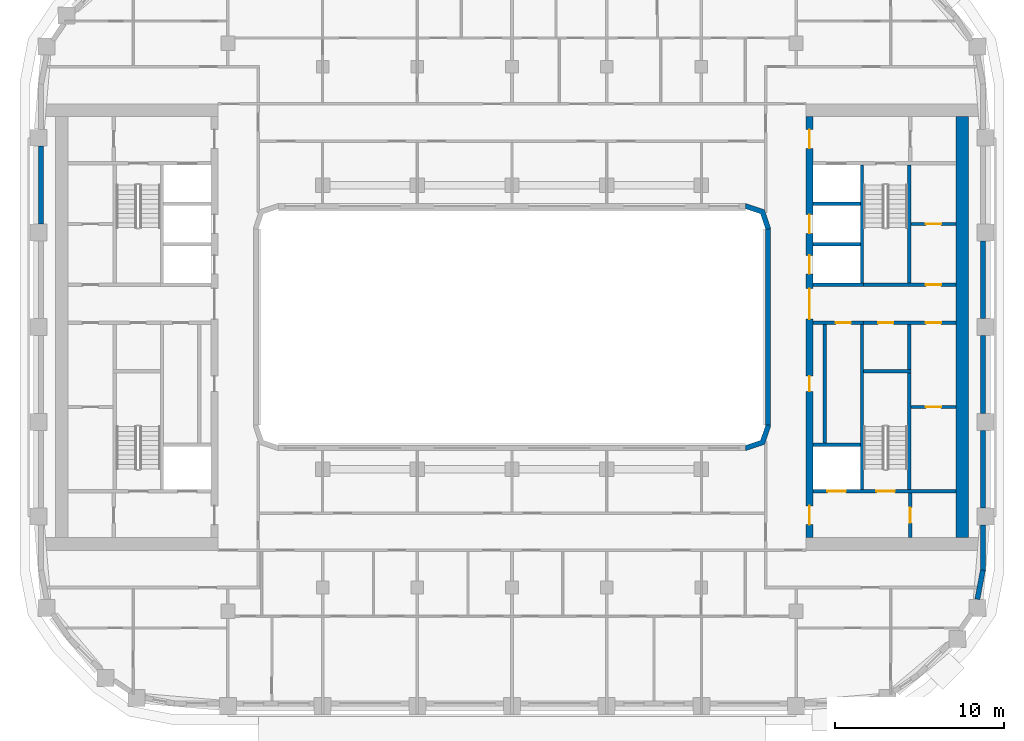
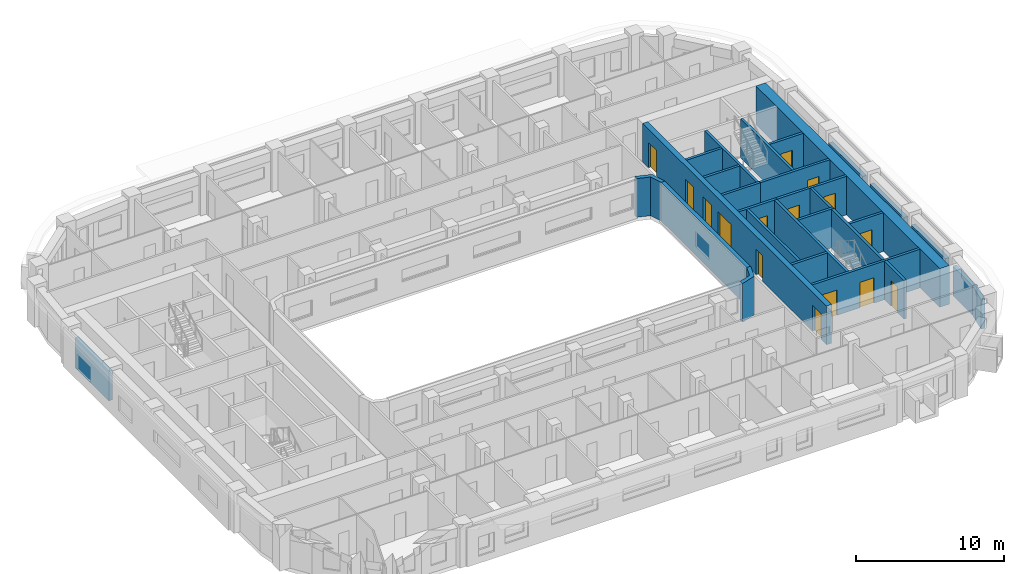
# One storey, part 6 of 22: 29 walls, 15 doors, 15 openings.
"""IFC4 building model written with IfcOpenShell, lengths in metres."""

from ifc_helpers import new_model, si_unit, direction, frame, frame_2d, origin, place, context, subcontext, project, spatial, polyline, rectangle, outline, extrude, material, layer, layer_set, type_object, element, fill, save


model = new_model("IFC4")

# Units and contexts
model_context = context("Model", 3, precision=1e-05, world=origin(), true_north=direction((0.0, 1.0)))
body_context = subcontext(model_context, "Body", "Model", "MODEL_VIEW")
ifc_project = project(units=[si_unit("LENGTHUNIT", "METRE"), si_unit("AREAUNIT", "SQUARE_METRE"), si_unit("VOLUMEUNIT", "CUBIC_METRE"), si_unit("PLANEANGLEUNIT", "RADIAN"), si_unit("MASSUNIT", "GRAM", prefix="KILO")], contexts=[model_context])

# Site, building, storey
site_placement = place(None, origin())
site = spatial("IfcSite", under=ifc_project, at=site_placement, CompositionType="ELEMENT")
building_placement = place(site_placement, origin())
building = spatial("IfcBuilding", under=site, at=building_placement, Name="Kiln Ring Residences", CompositionType="ELEMENT")
storey_placement = place(building_placement, frame((0.0, 0.0, 164.10009765625)))
storey = spatial("IfcBuildingStorey", under=building, at=storey_placement, Name="L42", CompositionType="ELEMENT", Elevation=164.10009765625)

# Wall
ifc_material_1 = material(Name="Gypsum board on steel studs", Category="steel")
ifc_layer_1 = layer(ifc_material_1, 0.199951171875)
ifc_layer_set_1 = layer_set([ifc_layer_1], Name="CORE-PARTITION-200")
wall_type_1 = type_object("IfcWallType", Name="CORE-PARTITION-200", PredefinedType="PARTITIONING", material=ifc_layer_set_1)
wall_1_placement = place(storey_placement, frame((23.5, -2.5, 0.0), z_axis=(0.0, 0.0, 1.0), x_axis=(0.0, 1.0, 0.0)))
element("IfcWall", 1, at=wall_1_placement, inside=storey, type_object=wall_type_1, Name="Core partition east L42 1", PredefinedType="PARTITIONING", context=body_context, shape_type="SweptSolid", body=[
    extrude(rectangle(XDim=2.64990234375, YDim=0.199951171875, at=frame_2d((1.324951171875, 0.0))), origin(), (0.0, 0.0, 1.0), 3.199951171875),
])

# Wall, openings, doors
wall_2_placement = place(storey_placement, frame((20.800048828125, 0.25, 0.0), z_axis=(0.0, 0.0, 1.0), x_axis=(1.0, 0.0, 0.0)))
wall_2 = element("IfcWall", 2, at=wall_2_placement, inside=storey, type_object=wall_type_1, Name="Core partition east L42 2", PredefinedType="PARTITIONING", context=body_context, shape_type="SweptSolid", body=[
    extrude(rectangle(XDim=5.449951171875, YDim=0.199951171875, at=frame_2d((2.72509765625, 0.0))), origin(), (0.0, 0.0, 1.0), 3.199951171875),
])
opening_1_placement = place(wall_2_placement, frame((0.85009765625, 0.0, 0.0)))
opening_1 = element("IfcOpeningElement", 3, at=opening_1_placement, cuts=wall_2, Name="Opening L42-CE14", PredefinedType="OPENING", context=body_context, shape_type="SweptSolid", body=[
    extrude(rectangle(XDim=0.89990234375, YDim=2.10009765625, at=frame_2d((0.449951171875, 1.050048828125))), frame((0.0, 0.10986328125, 0.0), z_axis=(0.0, -1.0, 0.0), x_axis=(1.0, 0.0, 0.0)), (0.0, 0.0, 1.0), 0.219970703125),
])
opening_2_placement = place(wall_2_placement, frame((3.675048828125, 0.0, 0.0)))
opening_2 = element("IfcOpeningElement", 4, at=opening_2_placement, cuts=wall_2, Name="Opening L42-CE16", PredefinedType="OPENING", context=body_context, shape_type="SweptSolid", body=[
    extrude(rectangle(XDim=0.89990234375, YDim=2.10009765625, at=frame_2d((0.449951171875, 1.050048828125))), frame((0.0, 0.10986328125, 0.0), z_axis=(0.0, -1.0, 0.0), x_axis=(1.0, 0.0, 0.0)), (0.0, 0.0, 1.0), 0.219970703125),
])
ifc_material_2 = material(Name="Steel door leaf", Category="steel")
door_type_1 = type_object("IfcDoorType", Name="CORE-DOOR-ROOM", OperationType="SINGLE_SWING_LEFT", PredefinedType="DOOR", material=ifc_material_2)
door_1_placement = place(opening_1_placement, origin())
door_1 = element("IfcDoor", 5, at=door_1_placement, inside=storey, type_object=door_type_1, Name="Comms room L42-CE14", OperationType="SINGLE_SWING_LEFT", OverallHeight=2.10009765625, OverallWidth=0.89990234375, PredefinedType="DOOR", context=body_context, shape_type="SweptSolid", body=[
    extrude(rectangle(XDim=0.89990234375, YDim=2.10009765625, at=frame_2d((0.449951171875, 1.050048828125))), frame((0.0, 0.02490234375, 0.0), z_axis=(0.0, -1.0, 0.0), x_axis=(1.0, 0.0, 0.0)), (0.0, 0.0, 1.0), 0.050048828125),
])
fill(opening_1, door_1)
door_2_placement = place(opening_2_placement, origin())
door_2 = element("IfcDoor", 6, at=door_2_placement, inside=storey, type_object=door_type_1, Name="Meter room L42-CE16", OperationType="SINGLE_SWING_LEFT", OverallHeight=2.10009765625, OverallWidth=0.89990234375, PredefinedType="DOOR", context=body_context, shape_type="SweptSolid", body=[
    extrude(rectangle(XDim=0.89990234375, YDim=2.10009765625, at=frame_2d((0.449951171875, 1.050048828125))), frame((0.0, 0.02490234375, 0.0), z_axis=(0.0, -1.0, 0.0), x_axis=(1.0, 0.0, 0.0)), (0.0, 0.0, 1.0), 0.050048828125),
])
fill(opening_2, door_2)

# Wall
wall_3_placement = place(storey_placement, frame((18.5, -6.85009765625, 0.0), z_axis=(0.0, 0.0, 1.0), x_axis=(0.0, 1.0, 0.0)))
element("IfcWall", 7, at=wall_3_placement, inside=storey, type_object=wall_type_1, Name="Core partition east L42 3", PredefinedType="PARTITIONING", context=body_context, shape_type="SweptSolid", body=[
    extrude(rectangle(XDim=7.0, YDim=0.199951171875, at=frame_2d((3.5, 0.0))), origin(), (0.0, 0.0, 1.0), 3.199951171875),
])

# Wall, opening, door
wall_4_placement = place(storey_placement, frame((23.550048828125, -12.449951171875, 0.0), z_axis=(0.0, 0.0, 1.0), x_axis=(0.0, 1.0, 0.0)))
wall_4 = element("IfcWall", 8, at=wall_4_placement, inside=storey, type_object=wall_type_1, Name="Core partition east L42 5", PredefinedType="PARTITIONING", context=body_context, shape_type="SweptSolid", body=[
    extrude(rectangle(XDim=2.64990234375, YDim=0.199951171875, at=frame_2d((1.324951171875, 0.0))), origin(), (0.0, 0.0, 1.0), 3.199951171875),
])
opening_3_placement = place(wall_4_placement, frame((0.875, 0.0, 0.0)))
opening_3 = element("IfcOpeningElement", 9, at=opening_3_placement, cuts=wall_4, Name="Opening L42-CE10", PredefinedType="OPENING", context=body_context, shape_type="SweptSolid", body=[
    extrude(rectangle(XDim=0.89990234375, YDim=2.10009765625, at=frame_2d((0.449951171875, 1.050048828125))), frame((0.0, 0.10986328125, 0.0), z_axis=(0.0, -1.0, 0.0), x_axis=(1.0, 0.0, 0.0)), (0.0, 0.0, 1.0), 0.219970703125),
])
door_3_placement = place(opening_3_placement, origin())
door_3 = element("IfcDoor", 10, at=door_3_placement, inside=storey, type_object=door_type_1, Name="Store L42-CE10", OperationType="SINGLE_SWING_LEFT", OverallHeight=2.10009765625, OverallWidth=0.89990234375, PredefinedType="DOOR", context=body_context, shape_type="SweptSolid", body=[
    extrude(rectangle(XDim=0.89990234375, YDim=2.10009765625, at=frame_2d((0.449951171875, 1.050048828125))), frame((0.0, 0.02490234375, 0.0), z_axis=(0.0, -1.0, 0.0), x_axis=(1.0, 0.0, 0.0)), (0.0, 0.0, 1.0), 0.050048828125),
])
fill(opening_3, door_3)

wall_5_placement = place(storey_placement, frame((23.60009765625, -4.72509765625, 0.0), z_axis=(0.0, 0.0, 1.0), x_axis=(1.0, 0.0, 0.0)))
wall_5 = element("IfcWall", 11, at=wall_5_placement, inside=storey, type_object=wall_type_1, Name="Core partition east L42 6", PredefinedType="PARTITIONING", context=body_context, shape_type="SweptSolid", body=[
    extrude(rectangle(XDim=2.64990234375, YDim=0.199951171875, at=frame_2d((1.324951171875, 0.0))), origin(), (0.0, 0.0, 1.0), 3.199951171875),
])
opening_4_placement = place(wall_5_placement, frame((0.875, 0.0, 0.0)))
opening_4 = element("IfcOpeningElement", 12, at=opening_4_placement, cuts=wall_5, Name="Opening L42-CE15", PredefinedType="OPENING", context=body_context, shape_type="SweptSolid", body=[
    extrude(rectangle(XDim=0.89990234375, YDim=2.10009765625, at=frame_2d((0.449951171875, 1.050048828125))), frame((0.0, 0.10986328125, 0.0), z_axis=(0.0, -1.0, 0.0), x_axis=(1.0, 0.0, 0.0)), (0.0, 0.0, 1.0), 0.219970703125),
])
door_4_placement = place(opening_4_placement, origin())
door_4 = element("IfcDoor", 13, at=door_4_placement, inside=storey, type_object=door_type_1, Name="Meter room L42-CE15", OperationType="SINGLE_SWING_LEFT", OverallHeight=2.10009765625, OverallWidth=0.89990234375, PredefinedType="DOOR", context=body_context, shape_type="SweptSolid", body=[
    extrude(rectangle(XDim=0.89990234375, YDim=2.10009765625, at=frame_2d((0.449951171875, 1.050048828125))), frame((0.0, 0.02490234375, 0.0), z_axis=(0.0, -1.0, 0.0), x_axis=(1.0, 0.0, 0.0)), (0.0, 0.0, 1.0), 0.050048828125),
])
fill(opening_4, door_4)

wall_6_placement = place(storey_placement, frame((23.60009765625, 6.10009765625, 0.0), z_axis=(0.0, 0.0, 1.0), x_axis=(1.0, 0.0, 0.0)))
wall_6 = element("IfcWall", 14, at=wall_6_placement, inside=storey, type_object=wall_type_1, Name="Core partition east L42 7", PredefinedType="PARTITIONING", context=body_context, shape_type="SweptSolid", body=[
    extrude(rectangle(XDim=2.64990234375, YDim=0.199951171875, at=frame_2d((1.324951171875, 0.0))), origin(), (0.0, 0.0, 1.0), 3.199951171875),
])
opening_5_placement = place(wall_6_placement, frame((0.875, 0.0, 0.0)))
opening_5 = element("IfcOpeningElement", 15, at=opening_5_placement, cuts=wall_6, Name="Opening L42-CE17", PredefinedType="OPENING", context=body_context, shape_type="SweptSolid", body=[
    extrude(rectangle(XDim=0.89990234375, YDim=2.10009765625, at=frame_2d((0.449951171875, 1.050048828125))), frame((0.0, 0.10986328125, 0.0), z_axis=(0.0, -1.0, 0.0), x_axis=(1.0, 0.0, 0.0)), (0.0, 0.0, 1.0), 0.219970703125),
])
door_5_placement = place(opening_5_placement, origin())
door_5 = element("IfcDoor", 16, at=door_5_placement, inside=storey, type_object=door_type_1, Name="Comms room L42-CE17", OperationType="SINGLE_SWING_LEFT", OverallHeight=2.10009765625, OverallWidth=0.89990234375, PredefinedType="DOOR", context=body_context, shape_type="SweptSolid", body=[
    extrude(rectangle(XDim=0.89990234375, YDim=2.10009765625, at=frame_2d((0.449951171875, 1.050048828125))), frame((0.0, 0.02490234375, 0.0), z_axis=(0.0, -1.0, 0.0), x_axis=(1.0, 0.0, 0.0)), (0.0, 0.0, 1.0), 0.050048828125),
])
fill(opening_5, door_5)

# Wall
ifc_material_3 = material(Name="Gypsum shaft wall system")
ifc_layer_2 = layer(ifc_material_3, 0.199951171875)
ifc_layer_set_2 = layer_set([ifc_layer_2], Name="CORE-SHAFT-WALL-200")
wall_type_2 = type_object("IfcWallType", Name="CORE-SHAFT-WALL-200", PredefinedType="PARTITIONING", material=ifc_layer_set_2)
wall_7_placement = place(storey_placement, frame((17.800048828125, -6.949951171875, 0.0), z_axis=(0.0, 0.0, 1.0), x_axis=(1.0, 0.0, 0.0)))
element("IfcWall", 17, at=wall_7_placement, inside=storey, type_object=wall_type_2, Name="Core partition east L42 8", PredefinedType="PARTITIONING", context=body_context, shape_type="SweptSolid", body=[
    extrude(rectangle(XDim=2.800048828125, YDim=0.199951171875, at=frame_2d((1.39990234375, 0.0))), origin(), (0.0, 0.0, 1.0), 3.199951171875),
])

# Wall, opening, door
wall_8_placement = place(storey_placement, frame((17.800048828125, 0.25, 0.0), z_axis=(0.0, 0.0, 1.0), x_axis=(1.0, 0.0, 0.0)))
wall_8 = element("IfcWall", 18, at=wall_8_placement, inside=storey, type_object=wall_type_2, Name="Core partition east L42 9", PredefinedType="PARTITIONING", context=body_context, shape_type="SweptSolid", body=[
    extrude(rectangle(XDim=3.0, YDim=0.199951171875, at=frame_2d((1.5, 0.0))), origin(), (0.0, 0.0, 1.0), 3.199951171875),
])
opening_6_placement = place(wall_8_placement, frame((1.35009765625, 0.0, 0.0)))
opening_6 = element("IfcOpeningElement", 19, at=opening_6_placement, cuts=wall_8, Name="Opening L42-CE03", PredefinedType="OPENING", context=body_context, shape_type="SweptSolid", body=[
    extrude(rectangle(XDim=0.89990234375, YDim=2.10009765625, at=frame_2d((0.449951171875, 1.050048828125))), frame((0.0, 0.10986328125, 0.0), z_axis=(0.0, -1.0, 0.0), x_axis=(1.0, 0.0, 0.0)), (0.0, 0.0, 1.0), 0.219970703125),
])
door_6_placement = place(opening_6_placement, origin())
door_6 = element("IfcDoor", 20, at=door_6_placement, inside=storey, type_object=door_type_1, Name="Service store L42-CE03", OperationType="SINGLE_SWING_RIGHT", OverallHeight=2.10009765625, OverallWidth=0.89990234375, PredefinedType="DOOR", context=body_context, shape_type="SweptSolid", body=[
    extrude(rectangle(XDim=0.89990234375, YDim=2.10009765625, at=frame_2d((0.449951171875, 1.050048828125))), frame((0.0, 0.02490234375, 0.0), z_axis=(0.0, -1.0, 0.0), x_axis=(1.0, 0.0, 0.0)), (0.0, 0.0, 1.0), 0.050048828125),
])
fill(opening_6, door_6)

# Walls
wall_9_placement = place(storey_placement, frame((17.800048828125, 2.5, 0.0), z_axis=(0.0, 0.0, 1.0), x_axis=(1.0, 0.0, 0.0)))
element("IfcWall", 21, at=wall_9_placement, inside=storey, type_object=wall_type_2, Name="Core partition east L42 10", PredefinedType="PARTITIONING", context=body_context, shape_type="SweptSolid", body=[
    extrude(rectangle(XDim=3.0, YDim=0.199951171875, at=frame_2d((1.5, 0.0))), origin(), (0.0, 0.0, 1.0), 3.199951171875),
])
for number, where, z_axis, x_axis, name in (
    (22, (17.800048828125, 4.89990234375, 0.0), (0.0, 0.0, 1.0), (1.0, 0.0, 0.0), "Core partition east L42 11"),
    (23, (17.800048828125, 7.300048828125, 0.0), (0.0, 0.0, 1.0), (1.0, 0.0, 0.0), "Core partition east L42 12"),
):
    element("IfcWall", number, at=place(storey_placement, frame(where, z_axis=z_axis, x_axis=x_axis)), inside=storey, type_object=wall_type_2, Name=name, PredefinedType="PARTITIONING", context=body_context, shape_type="SweptSolid", body=[
        extrude(rectangle(XDim=2.800048828125, YDim=0.199951171875, at=frame_2d((1.39990234375, 0.0))), origin(), (0.0, 0.0, 1.0), 3.199951171875),
    ])
ifc_material_4 = material(Name="Concrete C40/50", Category="concrete")
ifc_layer_3 = layer(ifc_material_4, 0.199951171875)
ifc_layer_set_3 = layer_set([ifc_layer_3], Name="CORE-WALL-RC200")
wall_type_3 = type_object("IfcWallType", Name="CORE-WALL-RC200", PredefinedType="SHEAR", material=ifc_layer_set_3)
wall_10_placement = place(storey_placement, frame((20.699951171875, 2.60009765625, 0.0), z_axis=(0.0, 0.0, 1.0), x_axis=(0.0, 1.0, 0.0)))
element("IfcWall", 24, at=wall_10_placement, inside=storey, type_object=wall_type_3, Name="Core wall east L42 1", PredefinedType="SHEAR", context=body_context, shape_type="SweptSolid", body=[
    extrude(rectangle(XDim=7.0, YDim=0.199951171875, at=frame_2d((3.5, 0.0))), origin(), (0.0, 0.0, 1.0), 3.199951171875),
])
wall_11_placement = place(storey_placement, frame((20.699951171875, -9.60009765625, 0.0), z_axis=(0.0, 0.0, 1.0), x_axis=(0.0, 1.0, 0.0)))
element("IfcWall", 25, at=wall_11_placement, inside=storey, type_object=wall_type_3, Name="Core wall east L42 2", PredefinedType="SHEAR", context=body_context, shape_type="SweptSolid", body=[
    extrude(rectangle(XDim=9.75, YDim=0.199951171875, at=frame_2d((4.875, 0.0))), origin(), (0.0, 0.0, 1.0), 3.199951171875),
])

# Wall, opening, door
wall_12_placement = place(storey_placement, frame((20.800048828125, 2.5, 0.0), z_axis=(0.0, 0.0, 1.0), x_axis=(1.0, 0.0, 0.0)))
wall_12 = element("IfcWall", 26, at=wall_12_placement, inside=storey, type_object=wall_type_3, Name="Core wall east L42 3", PredefinedType="SHEAR", context=body_context, shape_type="SweptSolid", body=[
    extrude(rectangle(XDim=5.449951171875, YDim=0.199951171875, at=frame_2d((2.72509765625, 0.0))), origin(), (0.0, 0.0, 1.0), 3.199951171875),
])
opening_7_placement = place(wall_12_placement, frame((3.675048828125, 0.0, 0.0)))
opening_7 = element("IfcOpeningElement", 27, at=opening_7_placement, cuts=wall_12, Name="Opening L42-CE18", PredefinedType="OPENING", context=body_context, shape_type="SweptSolid", body=[
    extrude(rectangle(XDim=0.89990234375, YDim=2.10009765625, at=frame_2d((0.449951171875, 1.050048828125))), frame((0.0, 0.10986328125, 0.0), z_axis=(0.0, -1.0, 0.0), x_axis=(1.0, 0.0, 0.0)), (0.0, 0.0, 1.0), 0.219970703125),
])
door_7_placement = place(opening_7_placement, origin())
door_7 = element("IfcDoor", 28, at=door_7_placement, inside=storey, type_object=door_type_1, Name="Electrical plant room L42-CE18", OperationType="SINGLE_SWING_RIGHT", OverallHeight=2.10009765625, OverallWidth=0.89990234375, PredefinedType="DOOR", context=body_context, shape_type="SweptSolid", body=[
    extrude(rectangle(XDim=0.89990234375, YDim=2.10009765625, at=frame_2d((0.449951171875, 1.050048828125))), frame((0.0, 0.02490234375, 0.0), z_axis=(0.0, -1.0, 0.0), x_axis=(1.0, 0.0, 0.0)), (0.0, 0.0, 1.0), 0.050048828125),
])
fill(opening_7, door_7)

# Wall, openings, doors
wall_13_placement = place(storey_placement, frame((17.800048828125, -9.699951171875, 0.0), z_axis=(0.0, 0.0, 1.0), x_axis=(1.0, 0.0, 0.0)))
wall_13 = element("IfcWall", 29, at=wall_13_placement, inside=storey, type_object=wall_type_3, Name="Core wall east L42 8", PredefinedType="SHEAR", context=body_context, shape_type="SweptSolid", body=[
    extrude(rectangle(XDim=8.449951171875, YDim=0.199951171875, at=frame_2d((4.22509765625, 0.0))), origin(), (0.0, 0.0, 1.0), 3.199951171875),
])
opening_8_placement = place(wall_13_placement, frame((0.85009765625, 0.0, 0.0)))
opening_8 = element("IfcOpeningElement", 30, at=opening_8_placement, cuts=wall_13, Name="Opening L42-CE01", PredefinedType="OPENING", context=body_context, shape_type="SweptSolid", body=[
    extrude(rectangle(XDim=1.10009765625, YDim=2.10009765625, at=frame_2d((0.550048828125, 1.050048828125))), frame((0.0, 0.10986328125, 0.0), z_axis=(0.0, -1.0, 0.0), x_axis=(1.0, 0.0, 0.0)), (0.0, 0.0, 1.0), 0.219970703125),
])
opening_9_placement = place(wall_13_placement, frame((3.75, 0.0, 0.0)))
opening_9 = element("IfcOpeningElement", 31, at=opening_9_placement, cuts=wall_13, Name="Opening L42-CE12", PredefinedType="OPENING", context=body_context, shape_type="SweptSolid", body=[
    extrude(rectangle(XDim=1.10009765625, YDim=2.10009765625, at=frame_2d((0.550048828125, 1.050048828125))), frame((0.0, 0.10986328125, 0.0), z_axis=(0.0, -1.0, 0.0), x_axis=(1.0, 0.0, 0.0)), (0.0, 0.0, 1.0), 0.219970703125),
])
ifc_material_5 = material(Name="Steel door leaf", Category="steel")
door_type_2 = type_object("IfcDoorType", Name="CORE-DOOR-LD", OperationType="DOUBLE_DOOR_SLIDING", PredefinedType="DOOR", material=ifc_material_5)
door_8_placement = place(opening_8_placement, origin())
door_8 = element("IfcDoor", 32, at=door_8_placement, inside=storey, type_object=door_type_2, Name="LD E-SV L42-CE01", OperationType="DOUBLE_DOOR_SLIDING", OverallHeight=2.10009765625, OverallWidth=1.10009765625, PredefinedType="DOOR", context=body_context, shape_type="SweptSolid", body=[
    extrude(rectangle(XDim=1.10009765625, YDim=2.10009765625, at=frame_2d((0.550048828125, 1.050048828125))), frame((0.0, 0.02490234375, 0.0), z_axis=(0.0, -1.0, 0.0), x_axis=(1.0, 0.0, 0.0)), (0.0, 0.0, 1.0), 0.050048828125),
])
fill(opening_8, door_8)
ifc_material_6 = material(Name="Steel door leaf", Category="steel")
door_type_3 = type_object("IfcDoorType", Name="CORE-DOOR-STAIR", OperationType="SINGLE_SWING_LEFT", PredefinedType="DOOR", material=ifc_material_6)
door_9_placement = place(opening_9_placement, origin())
door_9 = element("IfcDoor", 33, at=door_9_placement, inside=storey, type_object=door_type_3, Name="Stair E-STS L42-CE12", OperationType="SINGLE_SWING_RIGHT", OverallHeight=2.10009765625, OverallWidth=1.10009765625, PredefinedType="DOOR", context=body_context, shape_type="SweptSolid", body=[
    extrude(rectangle(XDim=1.10009765625, YDim=2.10009765625, at=frame_2d((0.550048828125, 1.050048828125))), frame((0.0, 0.02490234375, 0.0), z_axis=(0.0, -1.0, 0.0), x_axis=(1.0, 0.0, 0.0)), (0.0, 0.0, 1.0), 0.050048828125),
])
fill(opening_9, door_9)

# Walls
wall_14_placement = place(storey_placement, frame((23.5, 2.60009765625, 0.0), z_axis=(0.0, 0.0, 1.0), x_axis=(0.0, 1.0, 0.0)))
element("IfcWall", 34, at=wall_14_placement, inside=storey, type_object=wall_type_3, Name="Core wall east L42 10", PredefinedType="SHEAR", context=body_context, shape_type="SweptSolid", body=[
    extrude(rectangle(XDim=7.0, YDim=0.199951171875, at=frame_2d((3.5, 0.0))), origin(), (0.0, 0.0, 1.0), 3.199951171875),
])
wall_15_placement = place(storey_placement, frame((23.5, -9.60009765625, 0.0), z_axis=(0.0, 0.0, 1.0), x_axis=(0.0, 1.0, 0.0)))
element("IfcWall", 35, at=wall_15_placement, inside=storey, type_object=wall_type_3, Name="Core wall east L42 11", PredefinedType="SHEAR", context=body_context, shape_type="SweptSolid", body=[
    extrude(rectangle(XDim=6.900146484375, YDim=0.199951171875, at=frame_2d((3.4501953125, 0.0))), origin(), (0.0, 0.0, 1.0), 3.199951171875),
])
wall_16_placement = place(storey_placement, frame((20.800048828125, -2.60009765625, 0.0), z_axis=(0.0, 0.0, 1.0), x_axis=(1.0, 0.0, 0.0)))
element("IfcWall", 36, at=wall_16_placement, inside=storey, type_object=wall_type_3, Name="Core wall east L42 12", PredefinedType="SHEAR", context=body_context, shape_type="SweptSolid", body=[
    extrude(rectangle(XDim=2.800048828125, YDim=0.199951171875, at=frame_2d((1.39990234375, 0.0))), origin(), (0.0, 0.0, 1.0), 3.199951171875),
])

# Wall, openings, doors
ifc_material_7 = material(Name="Concrete C60/75", Category="concrete")
ifc_layer_4 = layer(ifc_material_7, 0.39990234375)
ifc_layer_set_4 = layer_set([ifc_layer_4], Name="CORE-WALL-RC400")
wall_type_4 = type_object("IfcWallType", Name="CORE-WALL-RC400", PredefinedType="SHEAR", material=ifc_layer_set_4)
wall_17_placement = place(storey_placement, frame((17.60009765625, -12.449951171875, 0.0), z_axis=(0.0, 0.0, 1.0), x_axis=(0.0, 1.0, 0.0)))
wall_17 = element("IfcWall", 37, at=wall_17_placement, inside=storey, type_object=wall_type_4, Name="Core wall east L42 6", PredefinedType="SHEAR", context=body_context, shape_type="SweptSolid", body=[
    extrude(rectangle(XDim=24.89990234375, YDim=0.39990234375, at=frame_2d((12.449951171875, 0.0))), origin(), (0.0, 0.0, 1.0), 3.199951171875),
])
opening_10_placement = place(wall_17_placement, frame((8.64990234375, 0.0, 0.0)))
opening_10 = element("IfcOpeningElement", 38, at=opening_10_placement, cuts=wall_17, Name="Opening L42-CE02", PredefinedType="OPENING", context=body_context, shape_type="SweptSolid", body=[
    extrude(rectangle(XDim=0.89990234375, YDim=2.10009765625, at=frame_2d((0.449951171875, 1.050048828125))), frame((0.0, 0.2099609375, 0.0), z_axis=(0.0, -1.0, 0.0), x_axis=(1.0, 0.0, 0.0)), (0.0, 0.0, 1.0), 0.419921875),
])
opening_11_placement = place(wall_17_placement, frame((15.60009765625, 0.0, 0.0)))
opening_11 = element("IfcOpeningElement", 39, at=opening_11_placement, cuts=wall_17, Name="Opening L42-CE04", PredefinedType="OPENING", context=body_context, shape_type="SweptSolid", body=[
    extrude(rectangle(XDim=1.10009765625, YDim=2.10009765625, at=frame_2d((0.550048828125, 1.050048828125))), frame((0.0, 0.2099609375, 0.0), z_axis=(0.0, -1.0, 0.0), x_axis=(1.0, 0.0, 0.0)), (0.0, 0.0, 1.0), 0.419921875),
])
opening_12_placement = place(wall_17_placement, frame((18.0, 0.0, 0.0)))
opening_12 = element("IfcOpeningElement", 40, at=opening_12_placement, cuts=wall_17, Name="Opening L42-CE05", PredefinedType="OPENING", context=body_context, shape_type="SweptSolid", body=[
    extrude(rectangle(XDim=1.10009765625, YDim=2.10009765625, at=frame_2d((0.550048828125, 1.050048828125))), frame((0.0, 0.2099609375, 0.0), z_axis=(0.0, -1.0, 0.0), x_axis=(1.0, 0.0, 0.0)), (0.0, 0.0, 1.0), 0.419921875),
])
opening_13_placement = place(wall_17_placement, frame((23.02490234375, 0.0, 0.0)))
opening_13 = element("IfcOpeningElement", 41, at=opening_13_placement, cuts=wall_17, Name="Opening L42-CE07", PredefinedType="OPENING", context=body_context, shape_type="SweptSolid", body=[
    extrude(rectangle(XDim=1.10009765625, YDim=2.10009765625, at=frame_2d((0.550048828125, 1.050048828125))), frame((0.0, 0.2099609375, 0.0), z_axis=(0.0, -1.0, 0.0), x_axis=(1.0, 0.0, 0.0)), (0.0, 0.0, 1.0), 0.419921875),
])
opening_14_placement = place(wall_17_placement, frame((0.77490234375, 0.0, 0.0)))
opening_14 = element("IfcOpeningElement", 42, at=opening_14_placement, cuts=wall_17, Name="Opening L42-CE08", PredefinedType="OPENING", context=body_context, shape_type="SweptSolid", body=[
    extrude(rectangle(XDim=1.10009765625, YDim=2.10009765625, at=frame_2d((0.550048828125, 1.050048828125))), frame((0.0, 0.2099609375, 0.0), z_axis=(0.0, -1.0, 0.0), x_axis=(1.0, 0.0, 0.0)), (0.0, 0.0, 1.0), 0.419921875),
])
opening_15_placement = place(wall_17_placement, frame((12.925048828125, 0.0, 0.0)))
opening_15 = element("IfcOpeningElement", 43, at=opening_15_placement, cuts=wall_17, Name="Opening L42-CE13", PredefinedType="OPENING", context=body_context, shape_type="SweptSolid", body=[
    extrude(rectangle(XDim=1.800048828125, YDim=2.10009765625, at=frame_2d((0.89990234375, 1.050048828125))), frame((0.0, 0.2099609375, 0.0), z_axis=(0.0, -1.0, 0.0), x_axis=(1.0, 0.0, 0.0)), (0.0, 0.0, 1.0), 0.419921875),
])
door_10_placement = place(opening_11_placement, origin())
door_10 = element("IfcDoor", 44, at=door_10_placement, inside=storey, type_object=door_type_2, Name="LD E-M1 L42-CE04", OperationType="DOUBLE_DOOR_SLIDING", OverallHeight=2.10009765625, OverallWidth=1.10009765625, PredefinedType="DOOR", context=body_context, shape_type="SweptSolid", body=[
    extrude(rectangle(XDim=1.10009765625, YDim=2.10009765625, at=frame_2d((0.550048828125, 1.050048828125))), frame((0.0, 0.02490234375, 0.0), z_axis=(0.0, -1.0, 0.0), x_axis=(1.0, 0.0, 0.0)), (0.0, 0.0, 1.0), 0.050048828125),
])
fill(opening_11, door_10)
door_11_placement = place(opening_12_placement, origin())
door_11 = element("IfcDoor", 45, at=door_11_placement, inside=storey, type_object=door_type_2, Name="LD E-M2 L42-CE05", OperationType="DOUBLE_DOOR_SLIDING", OverallHeight=2.10009765625, OverallWidth=1.10009765625, PredefinedType="DOOR", context=body_context, shape_type="SweptSolid", body=[
    extrude(rectangle(XDim=1.10009765625, YDim=2.10009765625, at=frame_2d((0.550048828125, 1.050048828125))), frame((0.0, 0.02490234375, 0.0), z_axis=(0.0, -1.0, 0.0), x_axis=(1.0, 0.0, 0.0)), (0.0, 0.0, 1.0), 0.050048828125),
])
fill(opening_12, door_11)
ifc_material_8 = material(Name="Steel door leaf", Category="steel")
door_type_4 = type_object("IfcDoorType", Name="CORE-DOOR-LOBBY", OperationType="SINGLE_SWING_LEFT", PredefinedType="DOOR", material=ifc_material_8)
door_12_placement = place(opening_13_placement, origin())
door_12 = element("IfcDoor", 46, at=door_12_placement, inside=storey, type_object=door_type_4, Name="FFL L42-CE07", OperationType="SINGLE_SWING_LEFT", OverallHeight=2.10009765625, OverallWidth=1.10009765625, PredefinedType="DOOR", context=body_context, shape_type="SweptSolid", body=[
    extrude(rectangle(XDim=1.10009765625, YDim=2.10009765625, at=frame_2d((0.550048828125, 1.050048828125))), frame((0.0, 0.02490234375, 0.0), z_axis=(0.0, -1.0, 0.0), x_axis=(1.0, 0.0, 0.0)), (0.0, 0.0, 1.0), 0.050048828125),
])
fill(opening_13, door_12)
door_13_placement = place(opening_14_placement, origin())
door_13 = element("IfcDoor", 47, at=door_13_placement, inside=storey, type_object=door_type_4, Name="SVL L42-CE08", OperationType="SINGLE_SWING_RIGHT", OverallHeight=2.10009765625, OverallWidth=1.10009765625, PredefinedType="DOOR", context=body_context, shape_type="SweptSolid", body=[
    extrude(rectangle(XDim=1.10009765625, YDim=2.10009765625, at=frame_2d((0.550048828125, 1.050048828125))), frame((0.0, 0.02490234375, 0.0), z_axis=(0.0, -1.0, 0.0), x_axis=(1.0, 0.0, 0.0)), (0.0, 0.0, 1.0), 0.050048828125),
])
fill(opening_14, door_13)
ifc_material_9 = material(Name="Steel door leaf", Category="steel")
door_type_5 = type_object("IfcDoorType", Name="CORE-DOOR-PASS", OperationType="DOUBLE_DOOR_SINGLE_SWING", PredefinedType="DOOR", material=ifc_material_9)
door_14_placement = place(opening_15_placement, origin())
door_14 = element("IfcDoor", 48, at=door_14_placement, inside=storey, type_object=door_type_5, Name="Core passage L42-CE13", OperationType="DOUBLE_DOOR_SINGLE_SWING", OverallHeight=2.10009765625, OverallWidth=1.800048828125, PredefinedType="DOOR", context=body_context, shape_type="SweptSolid", body=[
    extrude(rectangle(XDim=1.800048828125, YDim=2.10009765625, at=frame_2d((0.89990234375, 1.050048828125))), frame((0.0, 0.02490234375, 0.0), z_axis=(0.0, -1.0, 0.0), x_axis=(1.0, 0.0, 0.0)), (0.0, 0.0, 1.0), 0.050048828125),
])
fill(opening_15, door_14)
door_15_placement = place(opening_10_placement, origin())
door_15 = element("IfcDoor", 49, at=door_15_placement, inside=storey, type_object=door_type_1, Name="Locker store L42-CE02", OperationType="SINGLE_SWING_LEFT", OverallHeight=2.10009765625, OverallWidth=0.89990234375, PredefinedType="DOOR", context=body_context, shape_type="SweptSolid", body=[
    extrude(rectangle(XDim=0.89990234375, YDim=2.10009765625, at=frame_2d((0.449951171875, 1.050048828125))), frame((0.0, 0.02490234375, 0.0), z_axis=(0.0, -1.0, 0.0), x_axis=(1.0, 0.0, 0.0)), (0.0, 0.0, 1.0), 0.050048828125),
])
fill(opening_10, door_15)

# Walls
ifc_material_10 = material(Name="Concrete C60/75", Category="concrete")
ifc_layer_5 = layer(ifc_material_10, 0.75)
ifc_layer_set_5 = layer_set([ifc_layer_5], Name="CORE-WALL-RC750")
wall_type_5 = type_object("IfcWallType", Name="CORE-WALL-RC750", PredefinedType="SHEAR", material=ifc_layer_set_5)
wall_18_placement = place(storey_placement, frame((26.625, -12.449951171875, 0.0), z_axis=(0.0, 0.0, 1.0), x_axis=(0.0, 1.0, 0.0)))
element("IfcWall", 50, at=wall_18_placement, inside=storey, type_object=wall_type_5, Name="Core wall east L42 7", PredefinedType="SHEAR", context=body_context, shape_type="SweptSolid", body=[
    extrude(rectangle(XDim=24.89990234375, YDim=0.75, at=frame_2d((12.449951171875, 0.0))), origin(), (0.0, 0.0, 1.0), 3.199951171875),
])
ifc_material_11 = material(Name="Brick masonry, dark clay brick", Category="masonry")
ifc_layer_6 = layer(ifc_material_11, 0.300048828125)
ifc_layer_set_6 = layer_set([ifc_layer_6], Name="EW-300 BRICK WALL")
wall_type_6 = type_object("IfcWallType", Name="EW-300 BRICK WALL", PredefinedType="SOLIDWALL", material=ifc_layer_set_6)
wall_19_placement = place(storey_placement, frame((27.523681640625, -16.096923828125, 0.0), z_axis=(0.0, 0.0, 1.0), x_axis=(0.187259034321, 0.982310569049, 0.0)))
element("IfcWall", 51, at=wall_19_placement, inside=storey, type_object=wall_type_6, Name="Facade wall L42 16", PredefinedType="SOLIDWALL", context=body_context, shape_type="SweptSolid", body=[
    extrude(rectangle(XDim=1.756103515625, YDim=0.300048828125, at=frame_2d((0.8779296875, 0.0))), origin(), (0.0, 0.0, 1.0), 2.449951171875),
])
wall_20_placement = place(storey_placement, frame((27.85009765625, -14.39990234375, 0.0), z_axis=(0.0, 0.0, 1.0), x_axis=(0.0, 1.0, 0.0)))
element("IfcWall", 52, at=wall_20_placement, inside=storey, type_object=wall_type_6, Name="Facade wall L42 17", PredefinedType="SOLIDWALL", context=body_context, shape_type="SweptSolid", body=[
    extrude(rectangle(XDim=2.699951171875, YDim=0.300048828125, at=frame_2d((1.35009765625, 0.0))), origin(), (0.0, 0.0, 1.0), 2.449951171875),
])
wall_21_placement = place(storey_placement, frame((27.85009765625, -10.699951171875, 0.0), z_axis=(0.0, 0.0, 1.0), x_axis=(0.0, 1.0, 0.0)))
element("IfcWall", 53, at=wall_21_placement, inside=storey, type_object=wall_type_6, Name="Facade wall L42 18", PredefinedType="SOLIDWALL", context=body_context, shape_type="SweptSolid", body=[
    extrude(rectangle(XDim=4.599853515625, YDim=0.300048828125, at=frame_2d((2.2998046875, 0.0))), origin(), (0.0, 0.0, 1.0), 2.449951171875),
])
for number, where, z_axis, x_axis, name in (
    (54, (27.85009765625, -5.10009765625, 0.0), (0.0, 0.0, 1.0), (0.0, 1.0, 0.0), "Facade wall L42 19"),
    (55, (27.85009765625, 0.5, 0.0), (0.0, 0.0, 1.0), (0.0, 1.0, 0.0), "Facade wall L42 20"),
):
    element("IfcWall", number, at=place(storey_placement, frame(where, z_axis=z_axis, x_axis=x_axis)), inside=storey, type_object=wall_type_6, Name=name, PredefinedType="SOLIDWALL", context=body_context, shape_type="SweptSolid", body=[
        extrude(rectangle(XDim=4.60009765625, YDim=0.300048828125, at=frame_2d((2.300048828125, 0.0))), origin(), (0.0, 0.0, 1.0), 2.449951171875),
    ])
wall_22_placement = place(storey_placement, frame((-27.85009765625, 10.699951171875, 0.0), z_axis=(0.0, 0.0, 1.0), x_axis=(0.0, -1.0, 0.0)))
element("IfcWall", 56, at=wall_22_placement, inside=storey, type_object=wall_type_6, Name="Facade wall L42 42", PredefinedType="SOLIDWALL", context=body_context, shape_type="SweptSolid", body=[
    extrude(rectangle(XDim=4.599853515625, YDim=0.300048828125, at=frame_2d((2.2998046875, 0.0))), origin(), (0.0, 0.0, 1.0), 2.449951171875),
])
wall_23_placement = place(storey_placement, frame((15.14990234375, 5.800048828125, 0.0), z_axis=(0.0, 0.0, 1.0), x_axis=(0.0, -1.0, 0.0)))
element("IfcWall", 57, at=wall_23_placement, inside=storey, type_object=wall_type_6, Name="Facade wall L42 51", PredefinedType="SOLIDWALL", context=body_context, shape_type="SweptSolid", body=[
    extrude(rectangle(XDim=11.60009765625, YDim=0.300048828125, at=frame_2d((5.800048828125, 0.0))), origin(), (0.0, 0.0, 1.0), 3.199951171875),
])
placement = place(storey_placement, origin())
element("IfcWall", 58, at=placement, inside=storey, type_object=wall_type_6, Name="Corner wall L42 2", PredefinedType="SOLIDWALL", context=body_context, shape_type="SweptSolid", body=[
    extrude(outline(polyline([(14.937255859375, 6.937255859375), (13.8486328125, 7.300048828125), (13.800048828125, 7.300048828125), (13.800048828125, 7.0), (14.699951171875, 6.699951171875), (15.0, 5.800048828125), (15.300048828125, 5.800048828125), (15.300048828125, 5.8486328125), (14.937255859375, 6.937255859375)])), origin(), (0.0, 0.0, 1.0), 3.199951171875),
])
element("IfcWall", 59, at=placement, inside=storey, type_object=wall_type_6, Name="Corner wall L42 3", PredefinedType="SOLIDWALL", context=body_context, shape_type="SweptSolid", body=[
    extrude(outline(polyline([(14.937255859375, -6.937255859375), (15.300048828125, -5.8486328125), (15.300048828125, -5.800048828125), (15.0, -5.800048828125), (14.699951171875, -6.699951171875), (13.800048828125, -7.0), (13.800048828125, -7.300048828125), (13.8486328125, -7.300048828125), (14.937255859375, -6.937255859375)])), origin(), (0.0, 0.0, 1.0), 3.199951171875),
])

save(model, "model.ifc")
